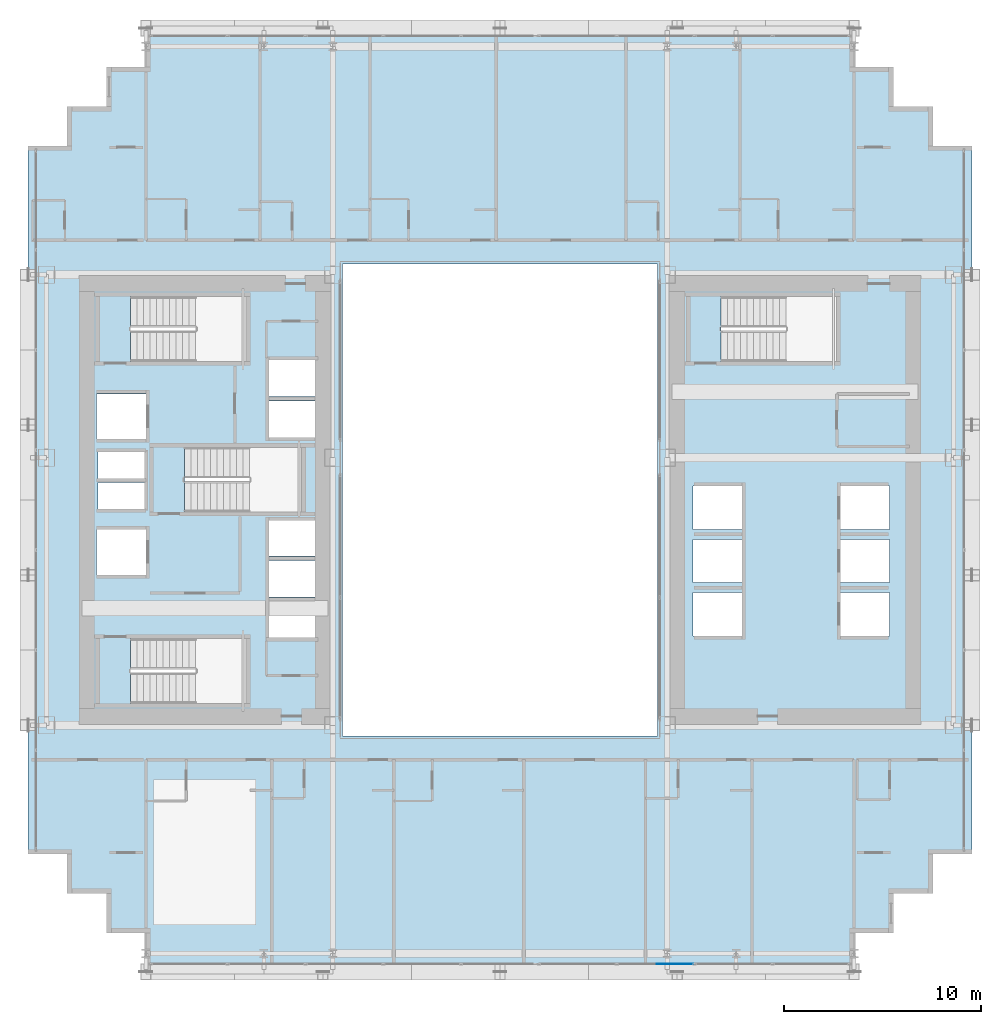
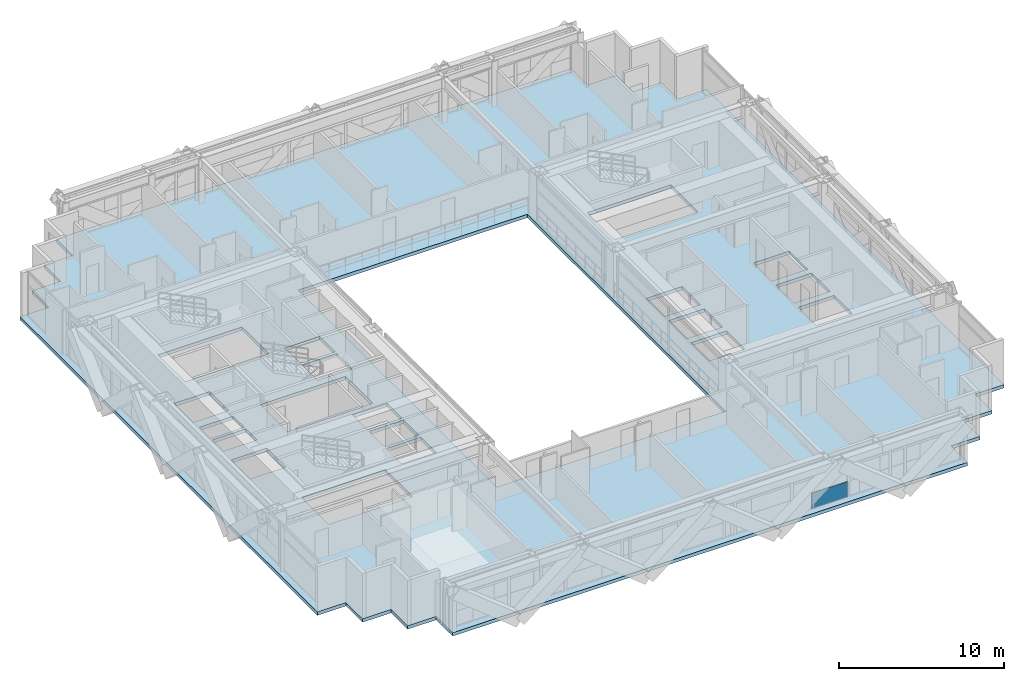
# One storey, part 28 of 41: 1 plate, 1 slab, 1 element without a shape of its own.
"""IFC4 building model written with IfcOpenShell, lengths in metres."""

from ifc_helpers import new_model, si_unit, direction, frame, origin, origin_2d, place, context, subcontext, project, spatial, polyline, rectangle, outline, extrude, source, transform, mapped, material, layer, layer_set, type_object, element, aggregate, save


model = new_model("IFC4")

# Units and contexts
model_context = context("Model", 3, precision=1e-05, world=origin(), true_north=direction((0.0, 1.0)))
body_context = subcontext(model_context, "Body", "Model", "MODEL_VIEW")
ifc_project = project(units=[si_unit("LENGTHUNIT", "METRE"), si_unit("AREAUNIT", "SQUARE_METRE"), si_unit("VOLUMEUNIT", "CUBIC_METRE"), si_unit("PLANEANGLEUNIT", "RADIAN"), si_unit("MASSUNIT", "GRAM", prefix="KILO")], contexts=[model_context])

# Site, building, storey
site_placement = place(None, origin())
site = spatial("IfcSite", under=ifc_project, at=site_placement, CompositionType="ELEMENT")
building_placement = place(site_placement, origin())
building = spatial("IfcBuilding", under=site, at=building_placement, Name="Ocotamira Hotel", CompositionType="ELEMENT")
storey_placement = place(building_placement, frame((0.0, 0.0, 52.800048828125)))
storey = spatial("IfcBuildingStorey", under=building, at=storey_placement, Name="L12", CompositionType="ELEMENT", Elevation=52.800048828125)

# Slab
ifc_material_1 = material(Name="Concrete C40/50", Category="concrete")
ifc_layer_1 = layer(ifc_material_1, 0.25)
ifc_layer_set_1 = layer_set([ifc_layer_1], Name="Concrete C40/50")
slab_type = type_object("IfcSlabType", Name="SLB-Z1-250", PredefinedType="FLOOR", material=ifc_layer_set_1)
slab_placement = place(storey_placement, frame((0.0, 0.0, -0.25)))
element("IfcSlab", 1, at=slab_placement, inside=storey, type_object=slab_type, Name="L12 Structural Floor Slab", PredefinedType="FLOOR", context=body_context, shape_type="SweptSolid", body=[
    extrude(outline(polyline([(14.0, 2.0), (50.0, 2.0), (50.0, 4.0), (52.0, 4.0), (52.0, 6.0), (54.0, 6.0), (54.0, 8.0), (56.0, 8.0), (56.0, 44.0), (54.0, 44.0), (54.0, 46.0), (52.0, 46.0), (52.0, 48.0), (50.0, 48.0), (50.0, 50.0), (14.0, 50.0), (14.0, 48.0), (12.0, 48.0), (12.0, 46.0), (10.0, 46.0), (10.0, 44.0), (8.0, 44.0), (8.0, 8.0), (10.0, 8.0), (10.0, 6.0), (12.0, 6.0), (12.0, 4.0), (14.0, 4.0), (14.0, 2.0)]), holes=[polyline([(24.0, 14.0), (40.0, 14.0), (40.0, 38.0), (24.0, 38.0), (24.0, 14.0)]), polyline([(13.22998046875, 15.669921875), (19.090087890625, 15.669921875), (19.090087890625, 18.949951171875), (13.22998046875, 18.949951171875), (13.22998046875, 15.669921875)]), polyline([(13.22998046875, 33.050048828125), (19.090087890625, 33.050048828125), (19.090087890625, 36.330078125), (13.22998046875, 36.330078125), (13.22998046875, 33.050048828125)]), polyline([(15.9599609375, 25.39990234375), (21.919921875, 25.39990234375), (21.919921875, 28.679931640625), (15.9599609375, 28.679931640625), (15.9599609375, 25.39990234375)]), polyline([(43.22998046875, 33.050048828125), (49.090087890625, 33.050048828125), (49.090087890625, 36.330078125), (43.22998046875, 36.330078125), (43.22998046875, 33.050048828125)]), polyline([(49.300048828125, 19.10009765625), (51.800048828125, 19.10009765625), (51.800048828125, 21.300048828125), (49.300048828125, 21.300048828125), (49.300048828125, 19.10009765625)]), polyline([(49.300048828125, 21.800048828125), (51.800048828125, 21.800048828125), (51.800048828125, 24.0), (49.300048828125, 24.0), (49.300048828125, 21.800048828125)]), polyline([(49.300048828125, 24.5), (51.800048828125, 24.5), (51.800048828125, 26.699951171875), (49.300048828125, 26.699951171875), (49.300048828125, 24.5)]), polyline([(41.800048828125, 19.10009765625), (44.300048828125, 19.10009765625), (44.300048828125, 21.300048828125), (41.800048828125, 21.300048828125), (41.800048828125, 19.10009765625)]), polyline([(41.800048828125, 21.800048828125), (44.300048828125, 21.800048828125), (44.300048828125, 24.0), (41.800048828125, 24.0), (41.800048828125, 21.800048828125)]), polyline([(41.800048828125, 24.5), (44.300048828125, 24.5), (44.300048828125, 26.699951171875), (41.800048828125, 26.699951171875), (41.800048828125, 24.5)]), polyline([(20.25, 19.0), (22.659912109375, 19.0), (22.659912109375, 20.85009765625), (20.25, 20.85009765625), (20.25, 19.0)]), polyline([(20.25, 21.080078125), (22.659912109375, 21.080078125), (22.659912109375, 22.929931640625), (20.25, 22.929931640625), (20.25, 21.080078125)]), polyline([(20.25, 23.159912109375), (22.659912109375, 23.159912109375), (22.659912109375, 24.9599609375), (20.25, 24.9599609375), (20.25, 23.159912109375)]), polyline([(20.25, 29.179931640625), (22.659912109375, 29.179931640625), (22.659912109375, 31.030029296875), (20.25, 31.030029296875), (20.25, 29.179931640625)]), polyline([(20.25, 31.260009765625), (22.659912109375, 31.260009765625), (22.659912109375, 33.110107421875), (20.25, 33.110107421875), (20.25, 31.260009765625)]), polyline([(11.5, 22.199951171875), (14.0, 22.199951171875), (14.0, 24.5), (11.5, 24.5), (11.5, 22.199951171875)]), polyline([(11.5, 29.10009765625), (14.0, 29.10009765625), (14.0, 31.39990234375), (11.5, 31.39990234375), (11.5, 29.10009765625)]), polyline([(11.580078125, 25.550048828125), (13.919921875, 25.550048828125), (13.919921875, 26.89990234375), (11.580078125, 26.89990234375), (11.580078125, 25.550048828125)]), polyline([(11.580078125, 27.10009765625), (13.919921875, 27.10009765625), (13.919921875, 28.449951171875), (11.580078125, 28.449951171875), (11.580078125, 27.10009765625)])]), origin(), (0.0, 0.0, 1.0), 0.25),
])

# Curtain wall, plate
ifc_material_2 = material(Name="Anodised pale-metal aluminium and solar glass", Category="aluminium")
ifc_layer_2 = layer(ifc_material_2, 0.179931640625)
ifc_layer_set_2 = layer_set([ifc_layer_2], Name="Anodised pale-metal aluminium and solar glass")
curtain_wall_type = type_object("IfcCurtainWallType", Name="CW-SYS2-Z1", PredefinedType="NOTDEFINED", material=ifc_layer_set_2)
curtain_wall_placement = place(storey_placement, origin())
curtain_wall = element("IfcCurtainWall", 2, at=curtain_wall_placement, inside=storey, type_object=curtain_wall_type, Name="L12 Curtain Wall CW-2 CW-L12-S1", PredefinedType="NOTDEFINED")
ifc_material_3 = material(Name="Double-silver low-E insulated solar glass", Category="glass")
ifc_layer_3 = layer(ifc_material_3, 0.031982421875)
ifc_layer_set_3 = layer_set([ifc_layer_3], Name="Double-silver low-E insulated solar glass")
plate_type = type_object("IfcPlateType", Name="CWP-VISION-32", PredefinedType="CURTAIN_PANEL", material=ifc_layer_set_3)
shared_shape = source(origin(), body_context, "Body", "SweptSolid", [
    extrude(rectangle(XDim=2.511474609375, YDim=0.031982421875, at=origin_2d()), origin(), (0.0, 0.0, 1.0), 1.11865234375),
])
plate_placement = place(storey_placement, frame((40.59326171875, 2.419921875, 0.074951171875), z_axis=(0.0, 0.0, 1.0), x_axis=(1.0, 0.0, 0.0)))
plate = element("IfcPlate", 3, at=plate_placement, type_object=plate_type, Name="CW-2 panel 7.1.1", PredefinedType="CURTAIN_PANEL", context=body_context, shape_type="MappedRepresentation", body=[
    mapped(shared_shape, transform((0.0, 0.0, 0.0), scale=1.0)),
])
aggregate(curtain_wall, [plate])

save(model, "model.ifc")
